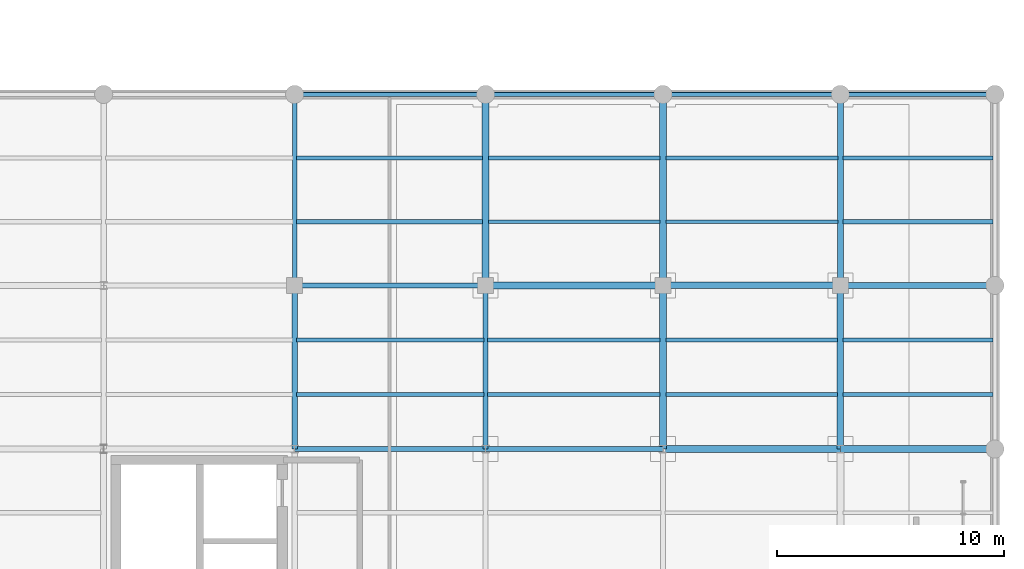
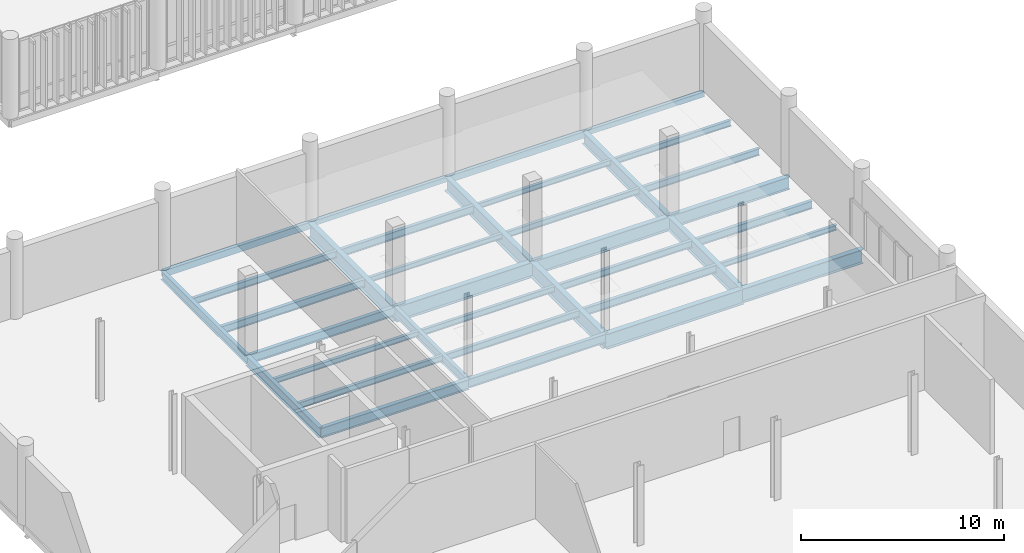
# One storey, part 48 of 94: 36 beams.
"""IFC4 building model written with IfcOpenShell, lengths in metres."""

import ifcopenshell
import ifcopenshell.guid

model = None  # the IFC model being written
_history = None  # IfcOwnerHistory: only IFC2X3 demands one
_inside = {}  # id of a spatial element -> (the spatial element, [elements in it])
_under = {}  # id of a project, library or spatial element -> (it, [spatial elements below it])
_declared = {}  # id of a project -> (the project, [libraries it declares])
_typed = {}  # id of a type object -> (the type object, [elements of that type])
_made_of = {}  # id of a material, layer set ... -> (it, [elements and type objects made of it])


def new_model(schema):
    """Start an empty IFC model of exactly this schema.

    Asked for "IFC4X3", IfcOpenShell would pick the latest addendum, in which some entities
    have other attributes; the version numbers below select the first issue.
    IFC2X3 requires an IfcOwnerHistory on every rooted entity: one is made here for all.
    """
    global model, _history
    if schema == "IFC4X3":
        model = ifcopenshell.file(schema_version=(4, 3, 0, 0))
    else:
        model = ifcopenshell.file(schema=schema)
    _inside.clear()
    _under.clear()
    _declared.clear()
    _typed.clear()
    _made_of.clear()
    _history = None
    if model.schema == "IFC2X3":
        org = make("IfcOrganization", Name="unknown")
        user = make(
            "IfcPersonAndOrganization",
            ThePerson=make("IfcPerson", FamilyName="unknown"),
            TheOrganization=org,
        )
        app = make(
            "IfcApplication",
            ApplicationDeveloper=org,
            Version="unknown",
            ApplicationFullName="unknown",
            ApplicationIdentifier="unknown",
        )
        _history = make(
            "IfcOwnerHistory",
            OwningUser=user,
            OwningApplication=app,
            ChangeAction="ADDED",
            CreationDate=0,
        )
    return model


def make(cls, **values):
    """One entity of the class cls with the attributes given. An attribute that is None is left unset."""
    return model.create_entity(
        cls, **{name: value for name, value in values.items() if value is not None}
    )


def rooted(cls, **values):
    """An entity with a GlobalId (a new one), such as an element, a storey or a relation."""
    return make(cls, GlobalId=ifcopenshell.guid.new(), OwnerHistory=_history, **values)


def si_unit(unit_type, name, prefix=None):
    """IfcSIUnit, for example si_unit("LENGTHUNIT", "METRE", prefix="MILLI")."""
    return make("IfcSIUnit", UnitType=unit_type, Prefix=prefix, Name=name)


def assignment(units):
    """IfcUnitAssignment: the units of a project."""
    return None if units is None else make("IfcUnitAssignment", Units=units)


def point(xyz):
    """IfcCartesianPoint."""
    return None if xyz is None else make("IfcCartesianPoint", Coordinates=xyz)


def direction(xyz):
    """IfcDirection."""
    return None if xyz is None else make("IfcDirection", DirectionRatios=xyz)


def frame(location, z_axis=None, x_axis=None):
    """IfcAxis2Placement3D, a coordinate frame: its origin and axes. An axis left out is left unset."""
    return make(
        "IfcAxis2Placement3D",
        Location=point(location),
        Axis=direction(z_axis),
        RefDirection=direction(x_axis),
    )


def frame_2d(location, x_axis=None):
    """IfcAxis2Placement2D, a coordinate frame in the plane: its origin and x axis."""
    return make(
        "IfcAxis2Placement2D", Location=point(location), RefDirection=direction(x_axis)
    )


def origin_with_axes():
    """The frame at (0, 0, 0) with the z axis (0, 0, 1) and the x axis (1, 0, 0) written out."""
    return frame((0.0, 0.0, 0.0), z_axis=(0.0, 0.0, 1.0), x_axis=(1.0, 0.0, 0.0))


def origin_2d_with_axis():
    """The frame at (0, 0) in the plane with the x axis (1, 0) written out."""
    return frame_2d((0.0, 0.0), x_axis=(1.0, 0.0))


def place(relative_to, where):
    """IfcLocalPlacement: puts the frame where relative to a parent placement (None: the world)."""
    return make(
        "IfcLocalPlacement", PlacementRelTo=relative_to, RelativePlacement=where
    )


def context(
    kind, dimensions, precision=None, world=None, true_north=None, identifier=None
):
    """IfcGeometricRepresentationContext, for example the 3D "Model" context."""
    return make(
        "IfcGeometricRepresentationContext",
        ContextIdentifier=identifier,
        ContextType=kind,
        CoordinateSpaceDimension=dimensions,
        Precision=precision,
        WorldCoordinateSystem=world,
        TrueNorth=true_north,
    )


def subcontext(parent, identifier, kind, view, scale=None):
    """IfcGeometricRepresentationSubContext, for example "Body" below "Model"."""
    return make(
        "IfcGeometricRepresentationSubContext",
        ContextIdentifier=identifier,
        ContextType=kind,
        ParentContext=parent,
        TargetScale=scale,
        TargetView=view,
    )


def project(units=None, contexts=None):
    """IfcProject with its units and contexts."""
    return rooted(
        "IfcProject",
        Name="project",
        RepresentationContexts=contexts,
        UnitsInContext=assignment(units),
    )


def spatial(cls, under=None, at=None, **own):
    """A site, building, storey or space (cls), placed at a placement, below another one or the project."""
    s = rooted(cls, ObjectPlacement=at, **own)
    if under is not None:
        _under.setdefault(under.id(), (under, []))[1].append(s)
    return s


def profile(cls, at=None, kind="AREA", **sizes):
    """A parametric profile (cls). Its sizes go by their IFC names, for example OverallWidth=200.0."""
    return make(cls, ProfileType=kind, Position=at, **sizes)


def hollow_rectangle(**sizes):
    """IfcRectangleHollowProfileDef."""
    return profile("IfcRectangleHollowProfileDef", **sizes)


def i_section(**sizes):
    """IfcIShapeProfileDef."""
    return profile("IfcIShapeProfileDef", **sizes)


def extrude(swept, where, along, depth):
    """IfcExtrudedAreaSolid: the profile swept, set in the frame where, extruded along a direction by depth."""
    return make(
        "IfcExtrudedAreaSolid",
        SweptArea=swept,
        Position=where,
        ExtrudedDirection=direction(along),
        Depth=depth,
    )


def shape(context_of_items, identifier, shape_type, items):
    """IfcShapeRepresentation: the items that make up one representation, for example the "Body"."""
    return make(
        "IfcShapeRepresentation",
        ContextOfItems=context_of_items,
        RepresentationIdentifier=identifier,
        RepresentationType=shape_type,
        Items=items,
    )


def material(Name=None, Category=None):
    """IfcMaterial."""
    return make("IfcMaterial", Name=Name, Category=Category)


def material_profile(
    of_material, cross_section, Name=None, Category=None, Priority=None
):
    """IfcMaterialProfile: a cross section and its material."""
    return make(
        "IfcMaterialProfile",
        Name=Name,
        Material=of_material,
        Profile=cross_section,
        Priority=Priority,
        Category=Category,
    )


def profile_set(profiles, Name=None, composite=None):
    """IfcMaterialProfileSet."""
    return make(
        "IfcMaterialProfileSet",
        Name=Name,
        MaterialProfiles=profiles,
        CompositeProfile=composite,
    )


def made_of(thing, what):
    """Note that an element or type object is made of a material, layer set ...; save() writes the relation."""
    if what is not None:
        _made_of.setdefault(what.id(), (what, []))[1].append(thing)
    return thing


def type_object(cls, material=None, **own):
    """A type object (cls), such as IfcWallType, which elements share."""
    return made_of(rooted(cls, **own), material)


def element(
    cls,
    number,
    at=None,
    inside=None,
    cuts=None,
    type_object=None,
    material=None,
    context=None,
    identifier="Body",
    shape_type=None,
    held_by="IfcProductDefinitionShape",
    body=None,
    shapes=None,
    **own,
):
    """One element of the class cls, such as IfcWall. Its Tag is "e" and its number.

    at: its placement. inside: the storey or other place that contains it. cuts: it is an
    opening in that element (IfcRelVoidsElement). A single representation is given by context,
    identifier, shape_type and body (its items); several are given by shapes. held_by: the class
    of the entity that holds the representations. save() writes the other relations.
    """
    e = rooted(cls, Tag="e%d" % number, ObjectPlacement=at, **own)
    if body is not None:
        shapes = [shape(context, identifier, shape_type, body)]
    if shapes is not None:
        e.Representation = make(held_by, Representations=shapes)
    if inside is not None:
        _inside.setdefault(inside.id(), (inside, []))[1].append(e)
    if cuts is not None:
        rooted(
            "IfcRelVoidsElement", RelatingBuildingElement=cuts, RelatedOpeningElement=e
        )
    if type_object is not None:
        _typed.setdefault(type_object.id(), (type_object, []))[1].append(e)
    return made_of(e, material)


def aggregate(whole, parts):
    """IfcRelAggregates: a whole, such as a stair, and the parts it consists of."""
    return rooted("IfcRelAggregates", RelatingObject=whole, RelatedObjects=parts)


def save(model, path):
    """Write the relations noted so far, then the file.

    IfcRelAggregates (storeys below a building ...), IfcRelContainedInSpatialStructure (elements
    in a storey), IfcRelDefinesByType, IfcRelAssociatesMaterial and IfcRelDeclares: one each for
    every whole, place, type object, material and project.
    """
    for whole, parts in _under.values():
        aggregate(whole, parts)
    for where, things in _inside.values():
        rooted(
            "IfcRelContainedInSpatialStructure",
            RelatedElements=things,
            RelatingStructure=where,
        )
    for kind, things in _typed.values():
        rooted("IfcRelDefinesByType", RelatedObjects=things, RelatingType=kind)
    for what, things in _made_of.values():
        rooted("IfcRelAssociatesMaterial", RelatedObjects=things, RelatingMaterial=what)
    for by, libraries in _declared.values():
        rooted("IfcRelDeclares", RelatingContext=by, RelatedDefinitions=libraries)
    model.write(path)


model = new_model("IFC4")

# Units and contexts
model_context = context("Model", 3, precision=1e-05, world=origin_with_axes(), true_north=direction((0.0, 1.0)))
body_context = subcontext(model_context, "Body", "Model", "MODEL_VIEW")
ifc_project = project(units=[si_unit("LENGTHUNIT", "METRE"), si_unit("AREAUNIT", "SQUARE_METRE"), si_unit("VOLUMEUNIT", "CUBIC_METRE"), si_unit("PLANEANGLEUNIT", "RADIAN"), si_unit("MASSUNIT", "GRAM", prefix="KILO"), si_unit("THERMODYNAMICTEMPERATUREUNIT", "KELVIN")], contexts=[model_context])

# Site, building, storey
site_placement = place(None, origin_with_axes())
site = spatial("IfcSite", under=ifc_project, at=site_placement, CompositionType="ELEMENT")
building_placement = place(site_placement, origin_with_axes())
building = spatial("IfcBuilding", under=site, at=building_placement, Name="Montbau Bow Law Courts", CompositionType="ELEMENT")
storey_placement = place(building_placement, frame((0.0, 0.0, 15.6), z_axis=(0.0, 0.0, 1.0), x_axis=(1.0, 0.0, 0.0)))
storey = spatial("IfcBuildingStorey", under=building, at=storey_placement, Name="L03", CompositionType="ELEMENT", Elevation=15.6)

# Beams
ifc_material_1 = material(Name="Steel CSA G40.21 Grade 350W (350 MPa)", Category="steel")
ifc_material_profile_1 = material_profile(ifc_material_1, i_section(OverallWidth=0.306, OverallDepth=0.919, WebThickness=0.0173, FlangeThickness=0.0279, at=origin_2d_with_axis()), Name="W920X253", Category="Main", Priority=0)
ifc_profile_set_1 = profile_set([ifc_material_profile_1], Name="Steel CSA G40.21 Grade 350W (350 MPa)")
beam_type_1 = type_object("IfcBeamType", Name="B-FLR-01", PredefinedType="BEAM", material=ifc_profile_set_1)
for number, where, z_axis, x_axis, name in (
    (1, (154.8, 39.0, 14.9), (1.0, 0.0, 0.0), (0.0, 1.0, 0.0), "BM-L03-S1653:bm2_1656"),
    (2, (147.0, 46.2, 14.9), (1.0, 0.0, 0.0), (0.0, 1.0, 0.0), "BM-L03-S1658:bm2_1661"),
):
    element("IfcBeam", number, at=place(None, frame(where, z_axis=z_axis, x_axis=x_axis)), inside=storey, type_object=beam_type_1, Name=name, PredefinedType="BEAM", context=body_context, shape_type="SweptSolid", body=[
        extrude(i_section(OverallWidth=0.306, OverallDepth=0.919, WebThickness=0.0173, FlangeThickness=0.0279, at=origin_2d_with_axis()), origin_with_axes(), (0.0, 0.0, 1.0), 7.8),
    ])
beam_1_placement = place(None, frame((147.0, 46.2, 14.9), z_axis=(0.0, 1.0, 0.0), x_axis=(-1.0, 0.0, 0.0)))
element("IfcBeam", 3, at=beam_1_placement, inside=storey, type_object=beam_type_1, Name="BM-L03-S1690:bm2_1693", PredefinedType="BEAM", context=body_context, shape_type="SweptSolid", body=[
    extrude(i_section(OverallWidth=0.306, OverallDepth=0.919, WebThickness=0.0173, FlangeThickness=0.0279, at=origin_2d_with_axis()), origin_with_axes(), (0.0, 0.0, 1.0), 8.4),
])
beam_2_placement = place(None, frame((154.8, 39.0, 14.9), z_axis=(0.0, 1.0, 0.0), x_axis=(-1.0, 0.0, 0.0)))
element("IfcBeam", 4, at=beam_2_placement, inside=storey, type_object=beam_type_1, Name="BM-L03-S1695:bm2_1698", PredefinedType="BEAM", context=body_context, shape_type="SweptSolid", body=[
    extrude(i_section(OverallWidth=0.306, OverallDepth=0.919, WebThickness=0.0173, FlangeThickness=0.0279, at=origin_2d_with_axis()), origin_with_axes(), (0.0, 0.0, 1.0), 7.2),
])
ifc_material_profile_2 = material_profile(ifc_material_1, i_section(OverallWidth=0.293, OverallDepth=0.846, WebThickness=0.0154, FlangeThickness=0.0244, at=origin_2d_with_axis()), Name="W840X210", Category="Main", Priority=0)
ifc_profile_set_2 = profile_set([ifc_material_profile_2], Name="Steel CSA G40.21 Grade 350W (350 MPa)")
beam_type_2 = type_object("IfcBeamType", Name="B-FLR-02", PredefinedType="BEAM", material=ifc_profile_set_2)
beam_3_placement = place(None, frame((162.6, 39.0, 14.937), z_axis=(1.0, 0.0, 0.0), x_axis=(0.0, 1.0, 0.0)))
element("IfcBeam", 5, at=beam_3_placement, inside=storey, type_object=beam_type_2, Name="BM-L03-S1654:bm2_1657", PredefinedType="BEAM", context=body_context, shape_type="SweptSolid", body=[
    extrude(i_section(OverallWidth=0.293, OverallDepth=0.846, WebThickness=0.0154, FlangeThickness=0.0244, at=origin_2d_with_axis()), origin_with_axes(), (0.0, 0.0, 1.0), 6.8),
])
beam_4_placement = place(None, frame((154.8, 46.2, 14.937), z_axis=(1.0, 0.0, 0.0), x_axis=(0.0, 1.0, 0.0)))
element("IfcBeam", 6, at=beam_4_placement, inside=storey, type_object=beam_type_2, Name="BM-L03-S1659:bm2_1662", PredefinedType="BEAM", context=body_context, shape_type="SweptSolid", body=[
    extrude(i_section(OverallWidth=0.293, OverallDepth=0.846, WebThickness=0.0154, FlangeThickness=0.0244, at=origin_2d_with_axis()), origin_with_axes(), (0.0, 0.0, 1.0), 7.8),
])
beam_5_placement = place(None, frame((154.8, 46.2, 14.937), z_axis=(0.0, 1.0, 0.0), x_axis=(-1.0, 0.0, 0.0)))
element("IfcBeam", 7, at=beam_5_placement, inside=storey, type_object=beam_type_2, Name="BM-L03-S1696:bm2_1699", PredefinedType="BEAM", context=body_context, shape_type="SweptSolid", body=[
    extrude(i_section(OverallWidth=0.293, OverallDepth=0.846, WebThickness=0.0154, FlangeThickness=0.0244, at=origin_2d_with_axis()), origin_with_axes(), (0.0, 0.0, 1.0), 8.4),
])
beam_6_placement = place(None, frame((162.6, 39.0, 14.937), z_axis=(0.0, 1.0, 0.0), x_axis=(-1.0, 0.0, 0.0)))
element("IfcBeam", 8, at=beam_6_placement, inside=storey, type_object=beam_type_2, Name="BM-L03-S1701:bm2_1704", PredefinedType="BEAM", context=body_context, shape_type="SweptSolid", body=[
    extrude(i_section(OverallWidth=0.293, OverallDepth=0.846, WebThickness=0.0154, FlangeThickness=0.0244, at=origin_2d_with_axis()), origin_with_axes(), (0.0, 0.0, 1.0), 7.2),
])
ifc_material_profile_3 = material_profile(ifc_material_1, i_section(OverallWidth=0.267, OverallDepth=0.766, WebThickness=0.0149, FlangeThickness=0.0236, at=origin_2d_with_axis()), Name="W760X185", Category="Main", Priority=0)
ifc_profile_set_3 = profile_set([ifc_material_profile_3], Name="Steel CSA G40.21 Grade 350W (350 MPa)")
beam_type_3 = type_object("IfcBeamType", Name="B-FLR-03", PredefinedType="BEAM", material=ifc_profile_set_3)
beam_7_placement = place(None, frame((162.6, 46.2, 14.977), z_axis=(1.0, 0.0, 0.0), x_axis=(0.0, 1.0, 0.0)))
element("IfcBeam", 9, at=beam_7_placement, inside=storey, type_object=beam_type_3, Name="BM-L03-S1660:bm2_1663", PredefinedType="BEAM", context=body_context, shape_type="SweptSolid", body=[
    extrude(i_section(OverallWidth=0.267, OverallDepth=0.766, WebThickness=0.0149, FlangeThickness=0.0236, at=origin_2d_with_axis()), origin_with_axes(), (0.0, 0.0, 1.0), 6.8),
])
beam_8_placement = place(None, frame((162.6, 46.2, 14.977), z_axis=(0.0, 1.0, 0.0), x_axis=(-1.0, 0.0, 0.0)))
element("IfcBeam", 10, at=beam_8_placement, inside=storey, type_object=beam_type_3, Name="BM-L03-S1702:bm2_1705", PredefinedType="BEAM", context=body_context, shape_type="SweptSolid", body=[
    extrude(i_section(OverallWidth=0.267, OverallDepth=0.766, WebThickness=0.0149, FlangeThickness=0.0236, at=origin_2d_with_axis()), origin_with_axes(), (0.0, 0.0, 1.0), 8.4),
])
ifc_material_profile_4 = material_profile(ifc_material_1, i_section(OverallWidth=0.229, OverallDepth=0.612, WebThickness=0.0119, FlangeThickness=0.0196, at=origin_2d_with_axis()), Name="W610X125", Category="Main", Priority=0)
ifc_profile_set_4 = profile_set([ifc_material_profile_4], Name="Steel CSA G40.21 Grade 350W (350 MPa)")
beam_type_4 = type_object("IfcBeamType", Name="B-FLR-05", PredefinedType="BEAM", material=ifc_profile_set_4)
beam_9_placement = place(None, frame((138.6, 39.0, 15.054), z_axis=(1.0, 0.0, 0.0), x_axis=(0.0, 1.0, 0.0)))
element("IfcBeam", 11, at=beam_9_placement, inside=storey, type_object=beam_type_4, Name="BM-L03-S1651:bm2_1654", PredefinedType="BEAM", context=body_context, shape_type="SweptSolid", body=[
    extrude(i_section(OverallWidth=0.229, OverallDepth=0.612, WebThickness=0.0119, FlangeThickness=0.0196, at=origin_2d_with_axis()), origin_with_axes(), (0.0, 0.0, 1.0), 8.4),
])
beam_10_placement = place(None, frame((138.6, 39.0, 15.054), z_axis=(0.0, 1.0, 0.0), x_axis=(-1.0, 0.0, 0.0)))
element("IfcBeam", 12, at=beam_10_placement, inside=storey, type_object=beam_type_4, Name="BM-L03-S1683:bm2_1686", PredefinedType="BEAM", context=body_context, shape_type="SweptSolid", body=[
    extrude(i_section(OverallWidth=0.229, OverallDepth=0.612, WebThickness=0.0119, FlangeThickness=0.0196, at=origin_2d_with_axis()), origin_with_axes(), (0.0, 0.0, 1.0), 7.2),
])
ifc_material_profile_5 = material_profile(ifc_material_1, i_section(OverallWidth=0.21, OverallDepth=0.537, WebThickness=0.0109, FlangeThickness=0.0174, at=origin_2d_with_axis()), Name="W530X101", Category="Main", Priority=0)
ifc_profile_set_5 = profile_set([ifc_material_profile_5], Name="Steel CSA G40.21 Grade 350W (350 MPa)")
beam_type_5 = type_object("IfcBeamType", Name="B-FLR-06", PredefinedType="BEAM", material=ifc_profile_set_5)
beam_11_placement = place(None, frame((147.0, 39.0, 15.091), z_axis=(1.0, 0.0, 0.0), x_axis=(0.0, 1.0, 0.0)))
element("IfcBeam", 13, at=beam_11_placement, inside=storey, type_object=beam_type_5, Name="BM-L03-S1652:bm2_1655", PredefinedType="BEAM", context=body_context, shape_type="SweptSolid", body=[
    extrude(i_section(OverallWidth=0.21, OverallDepth=0.537, WebThickness=0.0109, FlangeThickness=0.0174, at=origin_2d_with_axis()), origin_with_axes(), (0.0, 0.0, 1.0), 7.8),
])
for number, where, z_axis, x_axis, name in (
    (14, (138.6, 46.2, 15.091), (1.0, 0.0, 0.0), (0.0, 1.0, 0.0), "BM-L03-S1657:bm2_1660"),
    (15, (138.6, 46.2, 15.091), (0.0, 1.0, 0.0), (-1.0, 0.0, 0.0), "BM-L03-S1684:bm2_1687"),
):
    element("IfcBeam", number, at=place(None, frame(where, z_axis=z_axis, x_axis=x_axis)), inside=storey, type_object=beam_type_5, Name=name, PredefinedType="BEAM", context=body_context, shape_type="SweptSolid", body=[
        extrude(i_section(OverallWidth=0.21, OverallDepth=0.537, WebThickness=0.0109, FlangeThickness=0.0174, at=origin_2d_with_axis()), origin_with_axes(), (0.0, 0.0, 1.0), 8.4),
    ])
beam_12_placement = place(None, frame((147.0, 39.0, 15.091), z_axis=(0.0, 1.0, 0.0), x_axis=(-1.0, 0.0, 0.0)))
element("IfcBeam", 16, at=beam_12_placement, inside=storey, type_object=beam_type_5, Name="BM-L03-S1689:bm2_1692", PredefinedType="BEAM", context=body_context, shape_type="SweptSolid", body=[
    extrude(i_section(OverallWidth=0.21, OverallDepth=0.537, WebThickness=0.0109, FlangeThickness=0.0174, at=origin_2d_with_axis()), origin_with_axes(), (0.0, 0.0, 1.0), 7.2),
])
ifc_material_profile_6 = material_profile(ifc_material_1, i_section(OverallWidth=0.191, OverallDepth=0.46, WebThickness=0.0099, FlangeThickness=0.016, at=origin_2d_with_axis()), Name="W460X82", Category="Main", Priority=0)
ifc_profile_set_6 = profile_set([ifc_material_profile_6], Name="Steel CSA G40.21 Grade 350W (350 MPa)")
beam_type_6 = type_object("IfcBeamType", Name="B-JST-01", PredefinedType="JOIST", material=ifc_profile_set_6)
beam_13_placement = place(None, frame((138.681, 49.0, 15.13), z_axis=(1.0, 0.0, 0.0), x_axis=(0.0, 1.0, 0.0)))
element("IfcBeam", 17, at=beam_13_placement, inside=storey, type_object=beam_type_6, Name="JST-L03-S0976:jst2_0976", PredefinedType="JOIST", context=body_context, shape_type="SweptSolid", body=[
    extrude(i_section(OverallWidth=0.191, OverallDepth=0.46, WebThickness=0.0099, FlangeThickness=0.016, at=origin_2d_with_axis()), origin_with_axes(), (0.0, 0.0, 1.0), 8.19),
])
beam_14_placement = place(None, frame((147.129, 51.8, 15.13), z_axis=(1.0, 0.0, 0.0), x_axis=(0.0, 1.0, 0.0)))
element("IfcBeam", 18, at=beam_14_placement, inside=storey, type_object=beam_type_6, Name="JST-L03-S0988:jst2_0988", PredefinedType="JOIST", context=body_context, shape_type="SweptSolid", body=[
    extrude(i_section(OverallWidth=0.191, OverallDepth=0.46, WebThickness=0.0099, FlangeThickness=0.016, at=origin_2d_with_axis()), origin_with_axes(), (0.0, 0.0, 1.0), 7.549),
])
beam_15_placement = place(None, frame((154.929, 41.4, 15.13), z_axis=(1.0, 0.0, 0.0), x_axis=(0.0, 1.0, 0.0)))
element("IfcBeam", 19, at=beam_15_placement, inside=storey, type_object=beam_type_6, Name="JST-L03-S0996:jst2_0996", PredefinedType="JOIST", context=body_context, shape_type="SweptSolid", body=[
    extrude(i_section(OverallWidth=0.191, OverallDepth=0.46, WebThickness=0.0099, FlangeThickness=0.016, at=origin_2d_with_axis()), origin_with_axes(), (0.0, 0.0, 1.0), 7.548),
])
beam_16_placement = place(None, frame((162.722, 43.8, 15.13), z_axis=(1.0, 0.0, 0.0), x_axis=(0.0, 1.0, 0.0)))
element("IfcBeam", 20, at=beam_16_placement, inside=storey, type_object=beam_type_6, Name="JST-L03-S1008:jst2_1008", PredefinedType="JOIST", context=body_context, shape_type="SweptSolid", body=[
    extrude(i_section(OverallWidth=0.191, OverallDepth=0.46, WebThickness=0.0099, FlangeThickness=0.016, at=origin_2d_with_axis()), origin_with_axes(), (0.0, 0.0, 1.0), 6.598),
])
ifc_material_profile_7 = material_profile(ifc_material_1, i_section(OverallWidth=0.179, OverallDepth=0.41, WebThickness=0.0088, FlangeThickness=0.0144, at=origin_2d_with_axis()), Name="W410X67", Category="Main", Priority=0)
ifc_profile_set_7 = profile_set([ifc_material_profile_7], Name="Steel CSA G40.21 Grade 350W (350 MPa)")
beam_type_7 = type_object("IfcBeamType", Name="B-JST-02", PredefinedType="JOIST", material=ifc_profile_set_7)
beam_17_placement = place(None, frame((138.681, 51.8, 15.155), z_axis=(1.0, 0.0, 0.0), x_axis=(0.0, 1.0, 0.0)))
element("IfcBeam", 21, at=beam_17_placement, inside=storey, type_object=beam_type_7, Name="JST-L03-S0977:jst2_0977", PredefinedType="JOIST", context=body_context, shape_type="SweptSolid", body=[
    extrude(i_section(OverallWidth=0.179, OverallDepth=0.41, WebThickness=0.0088, FlangeThickness=0.0144, at=origin_2d_with_axis()), origin_with_axes(), (0.0, 0.0, 1.0), 8.19),
])
beam_18_placement = place(None, frame((147.081, 41.4, 15.155), z_axis=(1.0, 0.0, 0.0), x_axis=(0.0, 1.0, 0.0)))
element("IfcBeam", 22, at=beam_18_placement, inside=storey, type_object=beam_type_7, Name="JST-L03-S0985:jst2_0985", PredefinedType="JOIST", context=body_context, shape_type="SweptSolid", body=[
    extrude(i_section(OverallWidth=0.179, OverallDepth=0.41, WebThickness=0.0088, FlangeThickness=0.0144, at=origin_2d_with_axis()), origin_with_axes(), (0.0, 0.0, 1.0), 7.59),
])
beam_19_placement = place(None, frame((154.929, 43.8, 15.155), z_axis=(1.0, 0.0, 0.0), x_axis=(0.0, 1.0, 0.0)))
element("IfcBeam", 23, at=beam_19_placement, inside=storey, type_object=beam_type_7, Name="JST-L03-S0997:jst2_0997", PredefinedType="JOIST", context=body_context, shape_type="SweptSolid", body=[
    extrude(i_section(OverallWidth=0.179, OverallDepth=0.41, WebThickness=0.0088, FlangeThickness=0.0144, at=origin_2d_with_axis()), origin_with_axes(), (0.0, 0.0, 1.0), 7.548),
])
beam_20_placement = place(None, frame((162.709, 49.0, 15.155), z_axis=(1.0, 0.0, 0.0), x_axis=(0.0, 1.0, 0.0)))
element("IfcBeam", 24, at=beam_20_placement, inside=storey, type_object=beam_type_7, Name="JST-L03-S1009:jst2_1009", PredefinedType="JOIST", context=body_context, shape_type="SweptSolid", body=[
    extrude(i_section(OverallWidth=0.179, OverallDepth=0.41, WebThickness=0.0088, FlangeThickness=0.0144, at=origin_2d_with_axis()), origin_with_axes(), (0.0, 0.0, 1.0), 6.611),
])
ifc_material_profile_8 = material_profile(ifc_material_1, i_section(OverallWidth=0.172, OverallDepth=0.358, WebThickness=0.0079, FlangeThickness=0.0131, at=origin_2d_with_axis()), Name="W360X57", Category="Main", Priority=0)
ifc_profile_set_8 = profile_set([ifc_material_profile_8], Name="Steel CSA G40.21 Grade 350W (350 MPa)")
beam_type_8 = type_object("IfcBeamType", Name="B-JST-03", PredefinedType="JOIST", material=ifc_profile_set_8)
beam_21_placement = place(None, frame((138.69, 41.4, 15.181), z_axis=(1.0, 0.0, 0.0), x_axis=(0.0, 1.0, 0.0)))
element("IfcBeam", 25, at=beam_21_placement, inside=storey, type_object=beam_type_8, Name="JST-L03-S0974:jst2_0974", PredefinedType="JOIST", context=body_context, shape_type="SweptSolid", body=[
    extrude(i_section(OverallWidth=0.172, OverallDepth=0.358, WebThickness=0.0079, FlangeThickness=0.0131, at=origin_2d_with_axis()), origin_with_axes(), (0.0, 0.0, 1.0), 8.229),
])
beam_22_placement = place(None, frame((147.081, 43.8, 15.181), z_axis=(1.0, 0.0, 0.0), x_axis=(0.0, 1.0, 0.0)))
element("IfcBeam", 26, at=beam_22_placement, inside=storey, type_object=beam_type_8, Name="JST-L03-S0986:jst2_0986", PredefinedType="JOIST", context=body_context, shape_type="SweptSolid", body=[
    extrude(i_section(OverallWidth=0.172, OverallDepth=0.358, WebThickness=0.0079, FlangeThickness=0.0131, at=origin_2d_with_axis()), origin_with_axes(), (0.0, 0.0, 1.0), 7.59),
])
beam_23_placement = place(None, frame((154.923, 49.0, 15.181), z_axis=(1.0, 0.0, 0.0), x_axis=(0.0, 1.0, 0.0)))
element("IfcBeam", 27, at=beam_23_placement, inside=storey, type_object=beam_type_8, Name="JST-L03-S0998:jst2_0998", PredefinedType="JOIST", context=body_context, shape_type="SweptSolid", body=[
    extrude(i_section(OverallWidth=0.172, OverallDepth=0.358, WebThickness=0.0079, FlangeThickness=0.0131, at=origin_2d_with_axis()), origin_with_axes(), (0.0, 0.0, 1.0), 7.567),
])
beam_24_placement = place(None, frame((162.709, 51.8, 15.181), z_axis=(1.0, 0.0, 0.0), x_axis=(0.0, 1.0, 0.0)))
element("IfcBeam", 28, at=beam_24_placement, inside=storey, type_object=beam_type_8, Name="JST-L03-S1010:jst2_1010", PredefinedType="JOIST", context=body_context, shape_type="SweptSolid", body=[
    extrude(i_section(OverallWidth=0.172, OverallDepth=0.358, WebThickness=0.0079, FlangeThickness=0.0131, at=origin_2d_with_axis()), origin_with_axes(), (0.0, 0.0, 1.0), 6.611),
])
ifc_material_profile_9 = material_profile(ifc_material_1, i_section(OverallWidth=0.166, OverallDepth=0.313, WebThickness=0.0066, FlangeThickness=0.0112, at=origin_2d_with_axis()), Name="W310X45", Category="Main", Priority=0)
ifc_profile_set_9 = profile_set([ifc_material_profile_9], Name="Steel CSA G40.21 Grade 350W (350 MPa)")
beam_type_9 = type_object("IfcBeamType", Name="B-JST-04", PredefinedType="JOIST", material=ifc_profile_set_9)
beam_25_placement = place(None, frame((138.69, 43.8, 15.204), z_axis=(1.0, 0.0, 0.0), x_axis=(0.0, 1.0, 0.0)))
element("IfcBeam", 29, at=beam_25_placement, inside=storey, type_object=beam_type_9, Name="JST-L03-S0975:jst2_0975", PredefinedType="JOIST", context=body_context, shape_type="SweptSolid", body=[
    extrude(i_section(OverallWidth=0.166, OverallDepth=0.313, WebThickness=0.0066, FlangeThickness=0.0112, at=origin_2d_with_axis()), origin_with_axes(), (0.0, 0.0, 1.0), 8.229),
])
beam_26_placement = place(None, frame((147.129, 49.0, 15.204), z_axis=(1.0, 0.0, 0.0), x_axis=(0.0, 1.0, 0.0)))
element("IfcBeam", 30, at=beam_26_placement, inside=storey, type_object=beam_type_9, Name="JST-L03-S0987:jst2_0987", PredefinedType="JOIST", context=body_context, shape_type="SweptSolid", body=[
    extrude(i_section(OverallWidth=0.166, OverallDepth=0.313, WebThickness=0.0066, FlangeThickness=0.0112, at=origin_2d_with_axis()), origin_with_axes(), (0.0, 0.0, 1.0), 7.549),
])
beam_27_placement = place(None, frame((154.923, 51.8, 15.204), z_axis=(1.0, 0.0, 0.0), x_axis=(0.0, 1.0, 0.0)))
element("IfcBeam", 31, at=beam_27_placement, inside=storey, type_object=beam_type_9, Name="JST-L03-S0999:jst2_0999", PredefinedType="JOIST", context=body_context, shape_type="SweptSolid", body=[
    extrude(i_section(OverallWidth=0.166, OverallDepth=0.313, WebThickness=0.0066, FlangeThickness=0.0112, at=origin_2d_with_axis()), origin_with_axes(), (0.0, 0.0, 1.0), 7.567),
])
beam_28_placement = place(None, frame((162.722, 41.4, 15.204), z_axis=(1.0, 0.0, 0.0), x_axis=(0.0, 1.0, 0.0)))
element("IfcBeam", 32, at=beam_28_placement, inside=storey, type_object=beam_type_9, Name="JST-L03-S1007:jst2_1007", PredefinedType="JOIST", context=body_context, shape_type="SweptSolid", body=[
    extrude(i_section(OverallWidth=0.166, OverallDepth=0.313, WebThickness=0.0066, FlangeThickness=0.0112, at=origin_2d_with_axis()), origin_with_axes(), (0.0, 0.0, 1.0), 6.598),
])
ifc_material_2 = material(Name="Steel CSA G40.21 Grade 350WT (350 MPa)", Category="steel")
ifc_material_profile_10 = material_profile(ifc_material_2, hollow_rectangle(XDim=0.203, YDim=0.406, WallThickness=0.0127, InnerFilletRadius=0.0254, OuterFilletRadius=0.0127, at=origin_2d_with_axis()), Name="HSS406X203X13", Category="Main", Priority=0)
ifc_profile_set_10 = profile_set([ifc_material_profile_10], Name="Steel CSA G40.21 Grade 350WT (350 MPa)")
beam_type_10 = type_object("IfcBeamType", Name="B-SPN-01", PredefinedType="SPANDREL", material=ifc_profile_set_10)
beam_29_placement = place(None, frame((138.6, 54.6, 15.157), z_axis=(1.0, 0.0, 0.0), x_axis=(0.0, 1.0, 0.0)))
element("IfcBeam", 33, at=beam_29_placement, inside=storey, type_object=beam_type_10, Name="SPN-L03-S1663:bm2_1666", PredefinedType="SPANDREL", context=body_context, shape_type="SweptSolid", body=[
    extrude(hollow_rectangle(XDim=0.203, YDim=0.406, WallThickness=0.0127, InnerFilletRadius=0.0254, OuterFilletRadius=0.0127, at=origin_2d_with_axis()), origin_with_axes(), (0.0, 0.0, 1.0), 8.4),
])
beam_30_placement = place(None, frame((154.8, 54.6, 15.157), z_axis=(1.0, 0.0, 0.0), x_axis=(0.0, 1.0, 0.0)))
element("IfcBeam", 34, at=beam_30_placement, inside=storey, type_object=beam_type_10, Name="SPN-L03-S1665:bm2_1668", PredefinedType="SPANDREL", context=body_context, shape_type="SweptSolid", body=[
    extrude(hollow_rectangle(XDim=0.203, YDim=0.406, WallThickness=0.0127, InnerFilletRadius=0.0254, OuterFilletRadius=0.0127, at=origin_2d_with_axis()), origin_with_axes(), (0.0, 0.0, 1.0), 7.8),
])
ifc_material_profile_11 = material_profile(ifc_material_2, hollow_rectangle(XDim=0.203, YDim=0.305, WallThickness=0.0127, InnerFilletRadius=0.0254, OuterFilletRadius=0.0127, at=origin_2d_with_axis()), Name="HSS305X203X13", Category="Main", Priority=0)
ifc_profile_set_11 = profile_set([ifc_material_profile_11], Name="Steel CSA G40.21 Grade 350WT (350 MPa)")
beam_type_11 = type_object("IfcBeamType", Name="B-SPN-02", PredefinedType="SPANDREL", material=ifc_profile_set_11)
beam_31_placement = place(None, frame((147.0, 54.6, 15.207), z_axis=(1.0, 0.0, 0.0), x_axis=(0.0, 1.0, 0.0)))
element("IfcBeam", 35, at=beam_31_placement, inside=storey, type_object=beam_type_11, Name="SPN-L03-S1664:bm2_1667", PredefinedType="SPANDREL", context=body_context, shape_type="SweptSolid", body=[
    extrude(hollow_rectangle(XDim=0.203, YDim=0.305, WallThickness=0.0127, InnerFilletRadius=0.0254, OuterFilletRadius=0.0127, at=origin_2d_with_axis()), origin_with_axes(), (0.0, 0.0, 1.0), 7.8),
])
beam_32_placement = place(None, frame((162.6, 54.6, 15.207), z_axis=(1.0, 0.0, 0.0), x_axis=(0.0, 1.0, 0.0)))
element("IfcBeam", 36, at=beam_32_placement, inside=storey, type_object=beam_type_11, Name="SPN-L03-S1666:bm2_1669", PredefinedType="SPANDREL", context=body_context, shape_type="SweptSolid", body=[
    extrude(hollow_rectangle(XDim=0.203, YDim=0.305, WallThickness=0.0127, InnerFilletRadius=0.0254, OuterFilletRadius=0.0127, at=origin_2d_with_axis()), origin_with_axes(), (0.0, 0.0, 1.0), 6.8),
])

save(model, "model.ifc")
